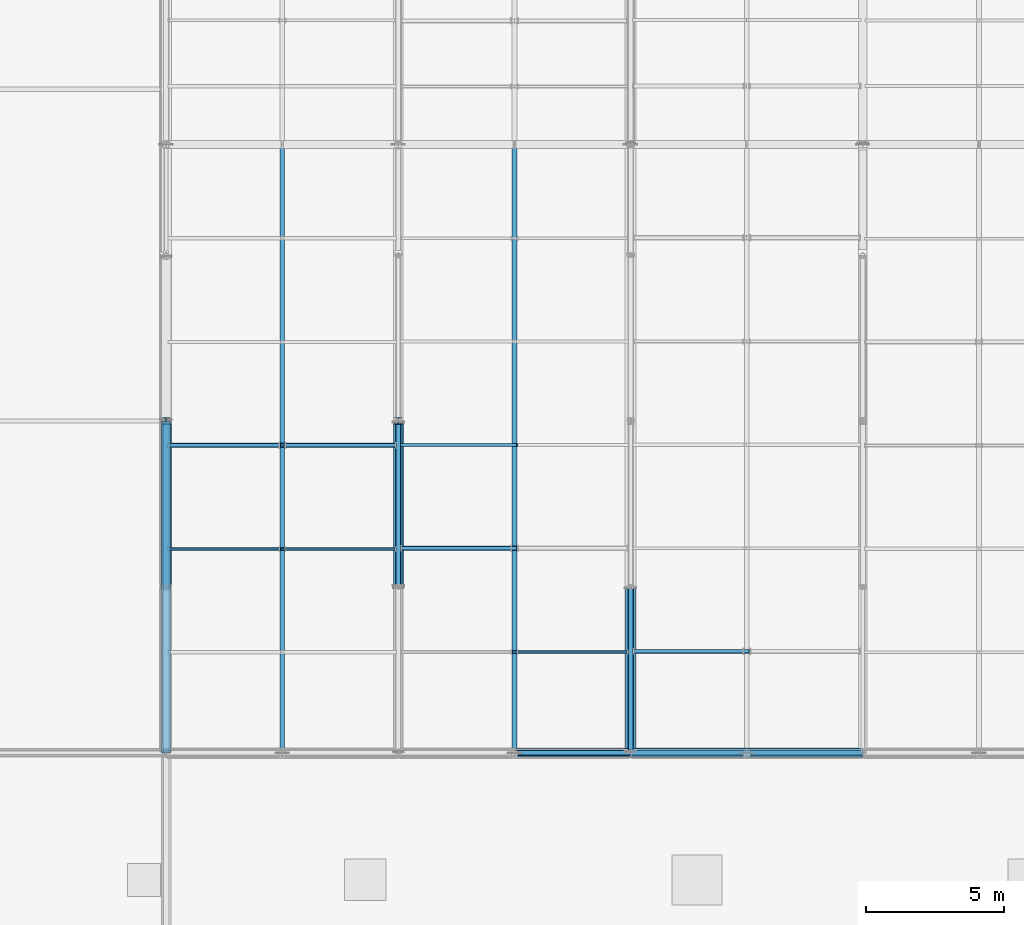
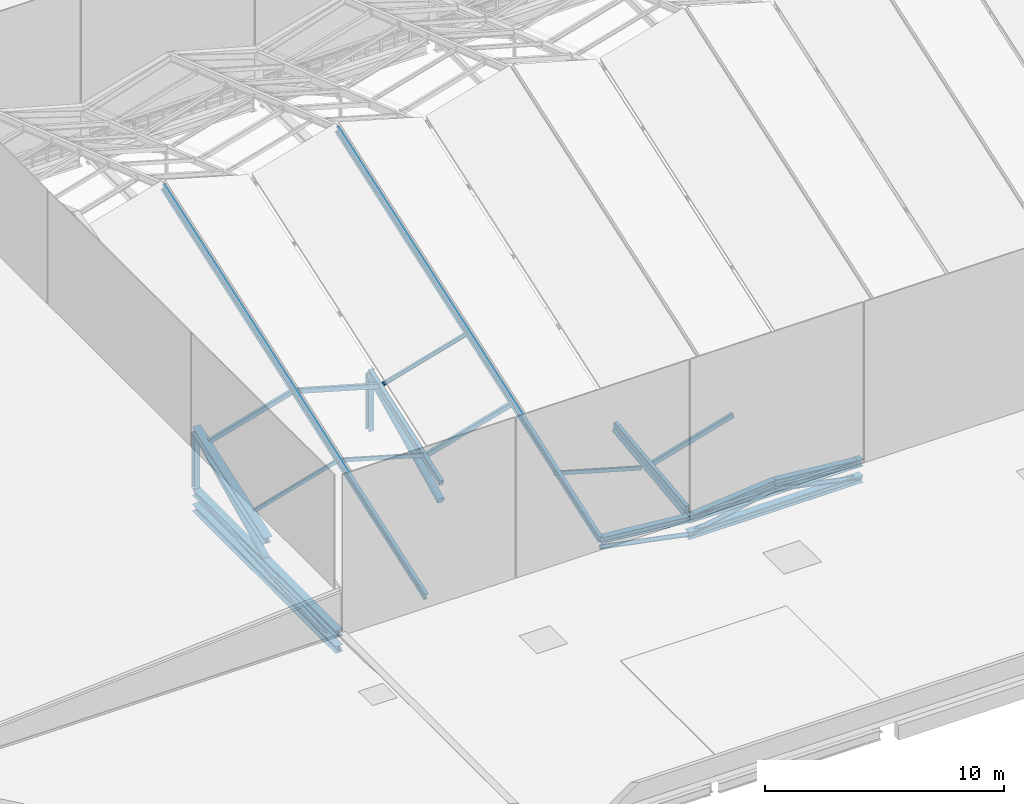
# One storey, part 6 of 77: 29 members.
"""IFC4 building model written with IfcOpenShell, lengths in metres."""

import ifcopenshell
import ifcopenshell.guid

model = None  # the IFC model being written
_history = None  # IfcOwnerHistory: only IFC2X3 demands one
_inside = {}  # id of a spatial element -> (the spatial element, [elements in it])
_under = {}  # id of a project, library or spatial element -> (it, [spatial elements below it])
_declared = {}  # id of a project -> (the project, [libraries it declares])
_typed = {}  # id of a type object -> (the type object, [elements of that type])
_made_of = {}  # id of a material, layer set ... -> (it, [elements and type objects made of it])


def new_model(schema):
    """Start an empty IFC model of exactly this schema.

    Asked for "IFC4X3", IfcOpenShell would pick the latest addendum, in which some entities
    have other attributes; the version numbers below select the first issue.
    IFC2X3 requires an IfcOwnerHistory on every rooted entity: one is made here for all.
    """
    global model, _history
    if schema == "IFC4X3":
        model = ifcopenshell.file(schema_version=(4, 3, 0, 0))
    else:
        model = ifcopenshell.file(schema=schema)
    _inside.clear()
    _under.clear()
    _declared.clear()
    _typed.clear()
    _made_of.clear()
    _history = None
    if model.schema == "IFC2X3":
        org = make("IfcOrganization", Name="unknown")
        user = make(
            "IfcPersonAndOrganization",
            ThePerson=make("IfcPerson", FamilyName="unknown"),
            TheOrganization=org,
        )
        app = make(
            "IfcApplication",
            ApplicationDeveloper=org,
            Version="unknown",
            ApplicationFullName="unknown",
            ApplicationIdentifier="unknown",
        )
        _history = make(
            "IfcOwnerHistory",
            OwningUser=user,
            OwningApplication=app,
            ChangeAction="ADDED",
            CreationDate=0,
        )
    return model


def make(cls, **values):
    """One entity of the class cls with the attributes given. An attribute that is None is left unset."""
    return model.create_entity(
        cls, **{name: value for name, value in values.items() if value is not None}
    )


def rooted(cls, **values):
    """An entity with a GlobalId (a new one), such as an element, a storey or a relation."""
    return make(cls, GlobalId=ifcopenshell.guid.new(), OwnerHistory=_history, **values)


def si_unit(unit_type, name, prefix=None):
    """IfcSIUnit, for example si_unit("LENGTHUNIT", "METRE", prefix="MILLI")."""
    return make("IfcSIUnit", UnitType=unit_type, Prefix=prefix, Name=name)


def assignment(units):
    """IfcUnitAssignment: the units of a project."""
    return None if units is None else make("IfcUnitAssignment", Units=units)


def point(xyz):
    """IfcCartesianPoint."""
    return None if xyz is None else make("IfcCartesianPoint", Coordinates=xyz)


def direction(xyz):
    """IfcDirection."""
    return None if xyz is None else make("IfcDirection", DirectionRatios=xyz)


def frame(location, z_axis=None, x_axis=None):
    """IfcAxis2Placement3D, a coordinate frame: its origin and axes. An axis left out is left unset."""
    return make(
        "IfcAxis2Placement3D",
        Location=point(location),
        Axis=direction(z_axis),
        RefDirection=direction(x_axis),
    )


def frame_2d(location, x_axis=None):
    """IfcAxis2Placement2D, a coordinate frame in the plane: its origin and x axis."""
    return make(
        "IfcAxis2Placement2D", Location=point(location), RefDirection=direction(x_axis)
    )


def origin():
    """The frame at (0, 0, 0) with its axes left unset."""
    return frame((0.0, 0.0, 0.0))


def origin_2d():
    """The frame at (0, 0) in the plane with its x axis left unset."""
    return frame_2d((0.0, 0.0))


def place(relative_to, where):
    """IfcLocalPlacement: puts the frame where relative to a parent placement (None: the world)."""
    return make(
        "IfcLocalPlacement", PlacementRelTo=relative_to, RelativePlacement=where
    )


def context(
    kind, dimensions, precision=None, world=None, true_north=None, identifier=None
):
    """IfcGeometricRepresentationContext, for example the 3D "Model" context."""
    return make(
        "IfcGeometricRepresentationContext",
        ContextIdentifier=identifier,
        ContextType=kind,
        CoordinateSpaceDimension=dimensions,
        Precision=precision,
        WorldCoordinateSystem=world,
        TrueNorth=true_north,
    )


def subcontext(parent, identifier, kind, view, scale=None):
    """IfcGeometricRepresentationSubContext, for example "Body" below "Model"."""
    return make(
        "IfcGeometricRepresentationSubContext",
        ContextIdentifier=identifier,
        ContextType=kind,
        ParentContext=parent,
        TargetScale=scale,
        TargetView=view,
    )


def project(units=None, contexts=None):
    """IfcProject with its units and contexts."""
    return rooted(
        "IfcProject",
        Name="project",
        RepresentationContexts=contexts,
        UnitsInContext=assignment(units),
    )


def spatial(cls, under=None, at=None, **own):
    """A site, building, storey or space (cls), placed at a placement, below another one or the project."""
    s = rooted(cls, ObjectPlacement=at, **own)
    if under is not None:
        _under.setdefault(under.id(), (under, []))[1].append(s)
    return s


def profile(cls, at=None, kind="AREA", **sizes):
    """A parametric profile (cls). Its sizes go by their IFC names, for example OverallWidth=200.0."""
    return make(cls, ProfileType=kind, Position=at, **sizes)


def hollow_rectangle(**sizes):
    """IfcRectangleHollowProfileDef."""
    return profile("IfcRectangleHollowProfileDef", **sizes)


def hollow_circle(**sizes):
    """IfcCircleHollowProfileDef."""
    return profile("IfcCircleHollowProfileDef", **sizes)


def i_section(**sizes):
    """IfcIShapeProfileDef."""
    return profile("IfcIShapeProfileDef", **sizes)


def extrude(swept, where, along, depth):
    """IfcExtrudedAreaSolid: the profile swept, set in the frame where, extruded along a direction by depth."""
    return make(
        "IfcExtrudedAreaSolid",
        SweptArea=swept,
        Position=where,
        ExtrudedDirection=direction(along),
        Depth=depth,
    )


def shape(context_of_items, identifier, shape_type, items):
    """IfcShapeRepresentation: the items that make up one representation, for example the "Body"."""
    return make(
        "IfcShapeRepresentation",
        ContextOfItems=context_of_items,
        RepresentationIdentifier=identifier,
        RepresentationType=shape_type,
        Items=items,
    )


def material(Name=None, Category=None):
    """IfcMaterial."""
    return make("IfcMaterial", Name=Name, Category=Category)


def material_profile(
    of_material, cross_section, Name=None, Category=None, Priority=None
):
    """IfcMaterialProfile: a cross section and its material."""
    return make(
        "IfcMaterialProfile",
        Name=Name,
        Material=of_material,
        Profile=cross_section,
        Priority=Priority,
        Category=Category,
    )


def profile_set(profiles, Name=None, composite=None):
    """IfcMaterialProfileSet."""
    return make(
        "IfcMaterialProfileSet",
        Name=Name,
        MaterialProfiles=profiles,
        CompositeProfile=composite,
    )


def made_of(thing, what):
    """Note that an element or type object is made of a material, layer set ...; save() writes the relation."""
    if what is not None:
        _made_of.setdefault(what.id(), (what, []))[1].append(thing)
    return thing


def type_object(cls, material=None, **own):
    """A type object (cls), such as IfcWallType, which elements share."""
    return made_of(rooted(cls, **own), material)


def element(
    cls,
    number,
    at=None,
    inside=None,
    cuts=None,
    type_object=None,
    material=None,
    context=None,
    identifier="Body",
    shape_type=None,
    held_by="IfcProductDefinitionShape",
    body=None,
    shapes=None,
    **own,
):
    """One element of the class cls, such as IfcWall. Its Tag is "e" and its number.

    at: its placement. inside: the storey or other place that contains it. cuts: it is an
    opening in that element (IfcRelVoidsElement). A single representation is given by context,
    identifier, shape_type and body (its items); several are given by shapes. held_by: the class
    of the entity that holds the representations. save() writes the other relations.
    """
    e = rooted(cls, Tag="e%d" % number, ObjectPlacement=at, **own)
    if body is not None:
        shapes = [shape(context, identifier, shape_type, body)]
    if shapes is not None:
        e.Representation = make(held_by, Representations=shapes)
    if inside is not None:
        _inside.setdefault(inside.id(), (inside, []))[1].append(e)
    if cuts is not None:
        rooted(
            "IfcRelVoidsElement", RelatingBuildingElement=cuts, RelatedOpeningElement=e
        )
    if type_object is not None:
        _typed.setdefault(type_object.id(), (type_object, []))[1].append(e)
    return made_of(e, material)


def aggregate(whole, parts):
    """IfcRelAggregates: a whole, such as a stair, and the parts it consists of."""
    return rooted("IfcRelAggregates", RelatingObject=whole, RelatedObjects=parts)


def save(model, path):
    """Write the relations noted so far, then the file.

    IfcRelAggregates (storeys below a building ...), IfcRelContainedInSpatialStructure (elements
    in a storey), IfcRelDefinesByType, IfcRelAssociatesMaterial and IfcRelDeclares: one each for
    every whole, place, type object, material and project.
    """
    for whole, parts in _under.values():
        aggregate(whole, parts)
    for where, things in _inside.values():
        rooted(
            "IfcRelContainedInSpatialStructure",
            RelatedElements=things,
            RelatingStructure=where,
        )
    for kind, things in _typed.values():
        rooted("IfcRelDefinesByType", RelatedObjects=things, RelatingType=kind)
    for what, things in _made_of.values():
        rooted("IfcRelAssociatesMaterial", RelatedObjects=things, RelatingMaterial=what)
    for by, libraries in _declared.values():
        rooted("IfcRelDeclares", RelatingContext=by, RelatedDefinitions=libraries)
    model.write(path)


model = new_model("IFC4")

# Units and contexts
model_context = context("Model", 3, precision=1e-05, world=origin(), true_north=direction((0.0, 1.0)))
body_context = subcontext(model_context, "Body", "Model", "MODEL_VIEW")
ifc_project = project(units=[si_unit("LENGTHUNIT", "METRE"), si_unit("AREAUNIT", "SQUARE_METRE"), si_unit("VOLUMEUNIT", "CUBIC_METRE"), si_unit("PLANEANGLEUNIT", "RADIAN"), si_unit("MASSUNIT", "GRAM", prefix="KILO")], contexts=[model_context])

# Site, building, storey
site_placement = place(None, origin())
site = spatial("IfcSite", under=ifc_project, at=site_placement, CompositionType="ELEMENT")
building_placement = place(site_placement, origin())
building = spatial("IfcBuilding", under=site, at=building_placement, Name="Larkvane Passage Sports Hall", CompositionType="ELEMENT")
storey_placement = place(building_placement, frame((0.0, 0.0, 22.199951171875)))
storey = spatial("IfcBuildingStorey", under=building, at=storey_placement, Name="RF", CompositionType="ELEMENT", Elevation=22.199951171875)

# Members
ifc_material_1 = material(Name="Steel S355JR", Category="steel")
ifc_material_profile_1 = material_profile(ifc_material_1, hollow_circle(Radius=0.108154296875, WallThickness=0.00830078125, at=origin_2d()), Name="CHS-216.3x8.2")
ifc_profile_set_1 = profile_set([ifc_material_profile_1], Name="Steel S355JR")
member_type_1 = type_object("IfcMemberType", Name="MBR-BR-CHS216", PredefinedType="BRACE", material=ifc_profile_set_1)
member_1_placement = place(storey_placement, frame((34.800048828125, 39.60009765625, -0.739990234375), z_axis=(0.0, 0.99783979177, 0.065694367801), x_axis=(-1.0, 0.0, 0.0)))
element("IfcMember", 1, at=member_1_placement, inside=storey, type_object=member_type_1, Name="Arena west eave tie truss web diagonal 2", PredefinedType="BRACE", context=body_context, shape_type="SweptSolid", body=[
    extrude(hollow_circle(Radius=0.108154296875, WallThickness=0.00830078125, at=origin_2d()), origin(), (0.0, 0.0, 1.0), 12.02587890625),
])
member_2_placement = place(storey_placement, frame((47.39990234375, 39.60009765625, 0.050048828125), z_axis=(0.981025535986, 0.0, -0.193878564424), x_axis=(0.0, 1.0, 0.0)))
element("IfcMember", 2, at=member_2_placement, inside=storey, type_object=member_type_1, Name="Arena south valley eave truss web 2B", PredefinedType="BRACE", context=body_context, shape_type="SweptSolid", body=[
    extrude(hollow_circle(Radius=0.108154296875, WallThickness=0.00830078125, at=origin_2d()), origin(), (0.0, 0.0, 1.0), 4.281494140625),
])
for number, where, z_axis, x_axis, name in (
    (3, (51.60009765625, 39.60009765625, -0.780029296875), (0.98102339237, 0.0, 0.193889410804), (0.0, 1.0, 0.0), "Arena south valley eave truss web 3A"),
    (4, (55.800048828125, 39.60009765625, 0.050048828125), (0.98102339237, 0.0, -0.193889410804), (0.0, 1.0, 0.0), "Arena south valley eave truss web 3B"),
):
    element("IfcMember", number, at=place(storey_placement, frame(where, z_axis=z_axis, x_axis=x_axis)), inside=storey, type_object=member_type_1, Name=name, PredefinedType="BRACE", context=body_context, shape_type="SweptSolid", body=[
        extrude(hollow_circle(Radius=0.108154296875, WallThickness=0.00830078125, at=origin_2d()), origin(), (0.0, 0.0, 1.0), 4.28125),
    ])
ifc_material_2 = material(Name="Steel S460N", Category="steel")
ifc_material_profile_2 = material_profile(ifc_material_2, hollow_circle(Radius=0.1591796875, WallThickness=0.01025390625, at=origin_2d()), Name="CHS-318.5x10.3")
ifc_profile_set_2 = profile_set([ifc_material_profile_2], Name="Steel S460N")
member_type_2 = type_object("IfcMemberType", Name="MBR-BR-CHS318", PredefinedType="BRACE", material=ifc_profile_set_2)
member_3_placement = place(storey_placement, frame((34.800048828125, 45.64990234375, 0.18994140625), z_axis=(0.0, 0.900709571031, 0.434421763559), x_axis=(-1.0, 0.0, 0.0)))
element("IfcMember", 5, at=member_3_placement, inside=storey, type_object=member_type_2, Name="Arena roof truss 1 web brace 2", PredefinedType="BRACE", context=body_context, shape_type="SweptSolid", body=[
    extrude(hollow_circle(Radius=0.1591796875, WallThickness=0.01025390625, at=origin_2d()), origin(), (0.0, 0.0, 1.0), 6.550537109375),
])
ifc_material_profile_3 = material_profile(ifc_material_2, hollow_circle(Radius=0.177734375, WallThickness=0.0126953125, at=origin_2d()), Name="CHS-355.6x12.7")
ifc_profile_set_3 = profile_set([ifc_material_profile_3], Name="Steel S460N")
member_type_3 = type_object("IfcMemberType", Name="MBR-BR-CHS355", PredefinedType="BRACE", material=ifc_profile_set_3)
member_4_placement = place(storey_placement, frame((43.199951171875, 45.64990234375, 0.215087890625), z_axis=(0.0, 0.899233901917, 0.437468158433), x_axis=(-1.0, 0.0, 0.0)))
element("IfcMember", 6, at=member_4_placement, inside=storey, type_object=member_type_3, Name="Arena roof truss 2 web brace 2", PredefinedType="BRACE", context=body_context, shape_type="SweptSolid", body=[
    extrude(hollow_circle(Radius=0.177734375, WallThickness=0.0126953125, at=origin_2d()), origin(), (0.0, 0.0, 1.0), 6.561279296875),
])
member_5_placement = place(storey_placement, frame((51.60009765625, 39.64990234375, 0.239990234375), z_axis=(0.0, 0.992582545617, 0.121572571483), x_axis=(-1.0, 0.0, 0.0)))
element("IfcMember", 7, at=member_5_placement, inside=storey, type_object=member_type_3, Name="Arena roof truss 3 web brace 1", PredefinedType="BRACE", context=body_context, shape_type="SweptSolid", body=[
    extrude(hollow_circle(Radius=0.177734375, WallThickness=0.0126953125, at=origin_2d()), origin(), (0.0, 0.0, 1.0), 5.9443359375),
])
ifc_material_profile_4 = material_profile(ifc_material_2, i_section(OverallWidth=0.300048828125, OverallDepth=0.300048828125, WebThickness=0.010009765625, FlangeThickness=0.014892578125, FilletRadius=0.012939453125, at=origin_2d()), Name="H-300x300x10x15")
ifc_profile_set_4 = profile_set([ifc_material_profile_4], Name="Steel S460N")
member_type_4 = type_object("IfcMemberType", Name="MBR-CH-H300", PredefinedType="CHORD", material=ifc_profile_set_4)
member_6_placement = place(storey_placement, frame((47.39990234375, 39.60009765625, 0.449951171875), z_axis=(0.995498072864, 0.0, -0.094781785826), x_axis=(0.0, 1.0, 0.0)))
element("IfcMember", 8, at=member_6_placement, inside=storey, type_object=member_type_4, Name="Arena roof fold tie 2-SEAVE-E", PredefinedType="CHORD", context=body_context, shape_type="SweptSolid", body=[
    extrude(i_section(OverallWidth=0.300048828125, OverallDepth=0.300048828125, WebThickness=0.010009765625, FlangeThickness=0.014892578125, FilletRadius=0.012939453125, at=origin_2d()), origin(), (0.0, 0.0, 1.0), 4.21923828125),
])
for number, where, z_axis, x_axis, name in (
    (9, (51.60009765625, 39.60009765625, 0.050048828125), (0.99549755299, 0.0, 0.094787245934), (0.0, 1.0, 0.0), "Arena roof fold tie 3-SEAVE-W"),
    (10, (55.800048828125, 39.60009765625, 0.449951171875), (0.99549755299, 0.0, -0.094787245934), (0.0, 1.0, 0.0), "Arena roof fold tie 3-SEAVE-E"),
):
    element("IfcMember", number, at=place(storey_placement, frame(where, z_axis=z_axis, x_axis=x_axis)), inside=storey, type_object=member_type_4, Name=name, PredefinedType="CHORD", context=body_context, shape_type="SweptSolid", body=[
        extrude(i_section(OverallWidth=0.300048828125, OverallDepth=0.300048828125, WebThickness=0.010009765625, FlangeThickness=0.014892578125, FilletRadius=0.012939453125, at=origin_2d()), origin(), (0.0, 0.0, 1.0), 4.218994140625),
    ])
ifc_material_profile_5 = material_profile(ifc_material_2, i_section(OverallWidth=0.35009765625, OverallDepth=0.35009765625, WebThickness=0.011962890625, FlangeThickness=0.01904296875, FilletRadius=0.012939453125, at=origin_2d()), Name="H-350x350x12x19")
ifc_profile_set_5 = profile_set([ifc_material_profile_5], Name="Steel S460N")
member_type_5 = type_object("IfcMemberType", Name="MBR-CH-H350", PredefinedType="CHORD", material=ifc_profile_set_5)
for number, where, z_axis, x_axis, name in (
    (11, (34.800048828125, 39.60009765625, -0.739990234375), (0.0, 1.0, 0.0), (-1.0, 0.0, 0.0), "Arena west eave tie truss bottom chord 2"),
    (12, (34.800048828125, 39.60009765625, 0.050048828125), (0.0, 1.0, 0.0), (-1.0, 0.0, 0.0), "Arena west eave tie truss top chord 2"),
):
    element("IfcMember", number, at=place(storey_placement, frame(where, z_axis=z_axis, x_axis=x_axis)), inside=storey, type_object=member_type_5, Name=name, PredefinedType="CHORD", context=body_context, shape_type="SweptSolid", body=[
        extrude(i_section(OverallWidth=0.35009765625, OverallDepth=0.35009765625, WebThickness=0.011962890625, FlangeThickness=0.01904296875, FilletRadius=0.012939453125, at=origin_2d()), origin(), (0.0, 0.0, 1.0), 12.0),
    ])
for number, where, z_axis, x_axis, name in (
    (13, (51.60009765625, 39.60009765625, -0.780029296875), (1.0, 0.0, 0.0), (0.0, 1.0, 0.0), "Arena south valley eave truss bottom chord 3"),
    (14, (51.60009765625, 39.60009765625, 0.050048828125), (1.0, 0.0, 0.0), (0.0, 1.0, 0.0), "Arena south valley eave truss top chord 3"),
):
    element("IfcMember", number, at=place(storey_placement, frame(where, z_axis=z_axis, x_axis=x_axis)), inside=storey, type_object=member_type_5, Name=name, PredefinedType="CHORD", context=body_context, shape_type="SweptSolid", body=[
        extrude(i_section(OverallWidth=0.35009765625, OverallDepth=0.35009765625, WebThickness=0.011962890625, FlangeThickness=0.01904296875, FilletRadius=0.012939453125, at=origin_2d()), origin(), (0.0, 0.0, 1.0), 8.39990234375),
    ])
ifc_material_profile_6 = material_profile(ifc_material_2, i_section(OverallWidth=0.39990234375, OverallDepth=0.39990234375, WebThickness=0.012939453125, FlangeThickness=0.02099609375, FilletRadius=0.02197265625, at=origin_2d()), Name="H-400x400x13x21")
ifc_profile_set_6 = profile_set([ifc_material_profile_6], Name="Steel S460N")
member_type_6 = type_object("IfcMemberType", Name="MBR-CH-H400", PredefinedType="CHORD", material=ifc_profile_set_6)
member_7_placement = place(storey_placement, frame((34.800048828125, 45.60009765625, 1.15283203125), z_axis=(0.0, 0.945188910593, 0.326524001096), x_axis=(-1.0, 0.0, 0.0)))
element("IfcMember", 15, at=member_7_placement, inside=storey, type_object=member_type_6, Name="Arena roof truss 1 top chord 2", PredefinedType="CHORD", context=body_context, shape_type="SweptSolid", body=[
    extrude(i_section(OverallWidth=0.39990234375, OverallDepth=0.39990234375, WebThickness=0.012939453125, FlangeThickness=0.02099609375, FilletRadius=0.02197265625, at=origin_2d()), origin(), (0.0, 0.0, 1.0), 6.347900390625),
])
ifc_material_profile_7 = material_profile(ifc_material_2, hollow_rectangle(XDim=0.199951171875, YDim=0.300048828125, WallThickness=0.011962890625, InnerFilletRadius=0.011962890625, OuterFilletRadius=0.02392578125, at=origin_2d()), Name="RHS-300x200x12")
ifc_profile_set_7 = profile_set([ifc_material_profile_7], Name="Steel S460N")
member_type_7 = type_object("IfcMemberType", Name="MBR-CH-RHS300", PredefinedType="CHORD", material=ifc_profile_set_7)
member_8_placement = place(storey_placement, frame((43.199951171875, 45.60009765625, 1.15283203125), z_axis=(0.0, 0.945188910593, 0.326524001096), x_axis=(-1.0, 0.0, 0.0)))
element("IfcMember", 16, at=member_8_placement, inside=storey, type_object=member_type_7, Name="Arena roof truss 2 top chord 2", PredefinedType="CHORD", context=body_context, shape_type="SweptSolid", body=[
    extrude(hollow_rectangle(XDim=0.199951171875, YDim=0.300048828125, WallThickness=0.011962890625, InnerFilletRadius=0.011962890625, OuterFilletRadius=0.02392578125, at=origin_2d()), origin(), (0.0, 0.0, 1.0), 6.347900390625),
])
ifc_material_profile_8 = material_profile(ifc_material_2, hollow_rectangle(XDim=0.199951171875, YDim=0.39990234375, WallThickness=0.013916015625, InnerFilletRadius=0.013916015625, OuterFilletRadius=0.028076171875, at=origin_2d()), Name="RHS-400x200x14")
ifc_profile_set_8 = profile_set([ifc_material_profile_8], Name="Steel S460N")
member_type_8 = type_object("IfcMemberType", Name="MBR-CH-RHS400", PredefinedType="CHORD", material=ifc_profile_set_8)
member_9_placement = place(storey_placement, frame((51.60009765625, 39.60009765625, 0.5), z_axis=(0.0, 0.994132743148, 0.108166949674), x_axis=(-1.0, 0.0, 0.0)))
element("IfcMember", 17, at=member_9_placement, inside=storey, type_object=member_type_8, Name="Arena roof truss 3 top chord 1", PredefinedType="CHORD", context=body_context, shape_type="SweptSolid", body=[
    extrude(hollow_rectangle(XDim=0.199951171875, YDim=0.39990234375, WallThickness=0.013916015625, InnerFilletRadius=0.013916015625, OuterFilletRadius=0.028076171875, at=origin_2d()), origin(), (0.0, 0.0, 1.0), 6.035400390625),
])
ifc_material_profile_9 = material_profile(ifc_material_1, i_section(OverallWidth=0.10009765625, OverallDepth=0.199951171875, WebThickness=0.005615234375, FlangeThickness=0.008056640625, FilletRadius=0.008056640625, at=origin_2d()), Name="H-200x100x5.5x8")
ifc_profile_set_9 = profile_set([ifc_material_profile_9], Name="Steel S355JR")
member_type_9 = type_object("IfcMemberType", Name="MBR-PR-H200", PredefinedType="PURLIN", material=ifc_profile_set_9)
member_10_placement = place(storey_placement, frame((43.3056640625, 50.727783203125, 3.030517578125), z_axis=(0.96152605678, 0.0, 0.274713745804), x_axis=(0.0, 1.0, 0.0)))
element("IfcMember", 18, at=member_10_placement, inside=storey, type_object=member_type_9, Name="Folded roof purlin FRP-B2-SW-3", PredefinedType="PURLIN", context=body_context, shape_type="SweptSolid", body=[
    extrude(i_section(OverallWidth=0.10009765625, OverallDepth=0.199951171875, WebThickness=0.005615234375, FlangeThickness=0.008056640625, FilletRadius=0.008056640625, at=origin_2d()), origin(), (0.0, 0.0, 1.0), 4.367919921875),
])
ifc_material_profile_10 = material_profile(ifc_material_1, hollow_rectangle(XDim=0.10009765625, YDim=0.199951171875, WallThickness=0.008056640625, InnerFilletRadius=0.008056640625, OuterFilletRadius=0.01611328125, at=origin_2d()), Name="RHS-200x100x8")
ifc_profile_set_10 = profile_set([ifc_material_profile_10], Name="Steel S355JR")
member_type_10 = type_object("IfcMemberType", Name="MBR-PR-RHS200", PredefinedType="PURLIN", material=ifc_profile_set_10)
for number, where, z_axis, x_axis, name in (
    (19, (34.895263671875, 46.97509765625, 1.77490234375), (0.961511291812, 0.0, 0.274765419436), (0.0, 1.0, 0.0), "Folded roof purlin FRP-B1-SW-2"),
    (20, (38.90478515625, 46.97509765625, 2.97509765625), (0.961511291812, 0.0, -0.274765419436), (0.0, 1.0, 0.0), "Folded roof purlin FRP-B1-SE-2"),
):
    element("IfcMember", number, at=place(storey_placement, frame(where, z_axis=z_axis, x_axis=x_axis)), inside=storey, type_object=member_type_10, Name=name, PredefinedType="PURLIN", context=body_context, shape_type="SweptSolid", body=[
        extrude(hollow_rectangle(XDim=0.10009765625, YDim=0.199951171875, WallThickness=0.008056640625, InnerFilletRadius=0.008056640625, OuterFilletRadius=0.01611328125, at=origin_2d()), origin(), (0.0, 0.0, 1.0), 4.3681640625),
    ])
member_11_placement = place(storey_placement, frame((47.29443359375, 43.24755859375, 1.646484375), z_axis=(0.96152605678, 0.0, -0.274713745804), x_axis=(0.0, 1.0, 0.0)))
element("IfcMember", 21, at=member_11_placement, inside=storey, type_object=member_type_10, Name="Folded roof purlin FRP-B2-SE-1", PredefinedType="PURLIN", context=body_context, shape_type="SweptSolid", body=[
    extrude(hollow_rectangle(XDim=0.10009765625, YDim=0.199951171875, WallThickness=0.008056640625, InnerFilletRadius=0.008056640625, OuterFilletRadius=0.01611328125, at=origin_2d()), origin(), (0.0, 0.0, 1.0), 4.367919921875),
])
ifc_material_profile_11 = material_profile(ifc_material_1, hollow_rectangle(XDim=0.14990234375, YDim=0.25, WallThickness=0.009033203125, InnerFilletRadius=0.009033203125, OuterFilletRadius=0.01806640625, at=origin_2d()), Name="RHS-250x150x9")
ifc_profile_set_11 = profile_set([ifc_material_profile_11], Name="Steel S355JR")
member_type_11 = type_object("IfcMemberType", Name="MBR-PR-RHS250", PredefinedType="PURLIN", material=ifc_profile_set_11)
for number, where, z_axis, x_axis, name in (
    (22, (34.901611328125, 50.722900390625, 3.044189453125), (0.96152605678, 0.0, 0.274713745804), (0.0, 1.0, 0.0), "Folded roof purlin FRP-B1-SW-3"),
    (23, (38.8984375, 50.722900390625, 4.244140625), (0.96152605678, 0.0, -0.274713745804), (0.0, 1.0, 0.0), "Folded roof purlin FRP-B1-SE-3"),
):
    element("IfcMember", number, at=place(storey_placement, frame(where, z_axis=z_axis, x_axis=x_axis)), inside=storey, type_object=member_type_11, Name=name, PredefinedType="PURLIN", context=body_context, shape_type="SweptSolid", body=[
        extrude(hollow_rectangle(XDim=0.14990234375, YDim=0.25, WallThickness=0.009033203125, InnerFilletRadius=0.009033203125, OuterFilletRadius=0.01806640625, at=origin_2d()), origin(), (0.0, 0.0, 1.0), 4.367919921875),
    ])
member_12_placement = place(storey_placement, frame((43.31201171875, 46.99560546875, 1.715576171875), z_axis=(0.961515511102, 0.0, 0.274750654067), x_axis=(0.0, 1.0, 0.0)))
element("IfcMember", 24, at=member_12_placement, inside=storey, type_object=member_type_11, Name="Folded roof purlin FRP-B2-SW-2", PredefinedType="PURLIN", context=body_context, shape_type="SweptSolid", body=[
    extrude(hollow_rectangle(XDim=0.14990234375, YDim=0.25, WallThickness=0.009033203125, InnerFilletRadius=0.009033203125, OuterFilletRadius=0.01806640625, at=origin_2d()), origin(), (0.0, 0.0, 1.0), 4.368408203125),
])
member_13_placement = place(storey_placement, frame((51.72265625, 43.26806640625, 0.38720703125), z_axis=(0.96152605678, 0.0, 0.274713745804), x_axis=(0.0, 1.0, 0.0)))
element("IfcMember", 25, at=member_13_placement, inside=storey, type_object=member_type_11, Name="Folded roof purlin FRP-B3-SW-1", PredefinedType="PURLIN", context=body_context, shape_type="SweptSolid", body=[
    extrude(hollow_rectangle(XDim=0.14990234375, YDim=0.25, WallThickness=0.009033203125, InnerFilletRadius=0.009033203125, OuterFilletRadius=0.01806640625, at=origin_2d()), origin(), (0.0, 0.0, 1.0), 4.367919921875),
])
ifc_material_profile_12 = material_profile(ifc_material_1, i_section(OverallWidth=0.175048828125, OverallDepth=0.35009765625, WebThickness=0.007080078125, FlangeThickness=0.010986328125, FilletRadius=0.012939453125, at=origin_2d()), Name="H-350x175x7x11")
ifc_profile_set_12 = profile_set([ifc_material_profile_12], Name="Steel S355JR")
member_type_12 = type_object("IfcMemberType", Name="MBR-RF-H350", PredefinedType="RAFTER", material=ifc_profile_set_12)
for number, where, z_axis, x_axis, name in (
    (26, (39.0, 39.60009765625, 0.449951171875), (0.0, 0.945188910593, 0.326524001096), (-1.0, 0.0, 0.0), "Arena roof fold peak rafter 1-S"),
    (27, (47.39990234375, 39.60009765625, 0.449951171875), (0.0, 0.945188910593, 0.326524001096), (-1.0, 0.0, 0.0), "Arena roof fold peak rafter 2-S"),
):
    element("IfcMember", number, at=place(storey_placement, frame(where, z_axis=z_axis, x_axis=x_axis)), inside=storey, type_object=member_type_12, Name=name, PredefinedType="RAFTER", context=body_context, shape_type="SweptSolid", body=[
        extrude(i_section(OverallWidth=0.175048828125, OverallDepth=0.35009765625, WebThickness=0.007080078125, FlangeThickness=0.010986328125, FilletRadius=0.012939453125, at=origin_2d()), origin(), (0.0, 0.0, 1.0), 23.27587890625),
    ])
ifc_material_profile_13 = material_profile(ifc_material_1, i_section(OverallWidth=0.25, OverallDepth=0.25, WebThickness=0.009033203125, FlangeThickness=0.013916015625, FilletRadius=0.012939453125, at=origin_2d()), Name="H-250x250x9x14")
ifc_profile_set_13 = profile_set([ifc_material_profile_13], Name="Steel S355JR")
member_type_13 = type_object("IfcMemberType", Name="MBR-ST-H250", PredefinedType="STRUT", material=ifc_profile_set_13)
member_14_placement = place(storey_placement, frame((34.800048828125, 51.60009765625, 0.18994140625), z_axis=(0.0, 0.0, 1.0), x_axis=(1.0, 0.0, 0.0)))
element("IfcMember", 28, at=member_14_placement, inside=storey, type_object=member_type_13, Name="Arena roof truss 1 vertical strut 2", PredefinedType="STRUT", context=body_context, shape_type="SweptSolid", body=[
    extrude(i_section(OverallWidth=0.25, OverallDepth=0.25, WebThickness=0.009033203125, FlangeThickness=0.013916015625, FilletRadius=0.012939453125, at=origin_2d()), origin(), (0.0, 0.0, 1.0), 2.845703125),
])
member_15_placement = place(storey_placement, frame((43.199951171875, 51.60009765625, 0.215087890625), z_axis=(0.0, 0.0, 1.0), x_axis=(1.0, 0.0, 0.0)))
element("IfcMember", 29, at=member_15_placement, inside=storey, type_object=member_type_13, Name="Arena roof truss 2 vertical strut 2", PredefinedType="STRUT", context=body_context, shape_type="SweptSolid", body=[
    extrude(i_section(OverallWidth=0.25, OverallDepth=0.25, WebThickness=0.009033203125, FlangeThickness=0.013916015625, FilletRadius=0.012939453125, at=origin_2d()), origin(), (0.0, 0.0, 1.0), 2.870361328125),
])

save(model, "model.ifc")
